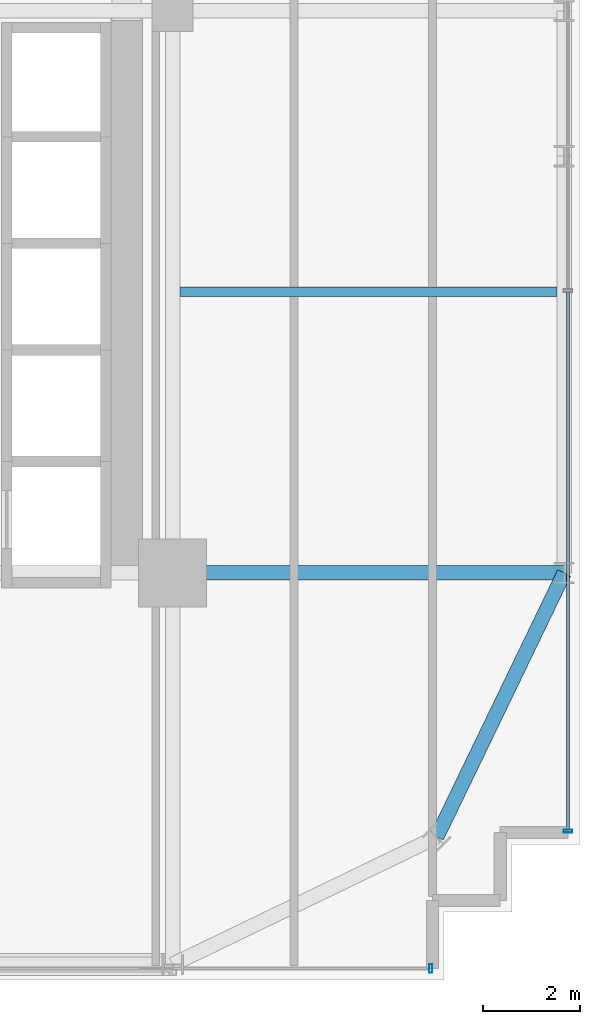
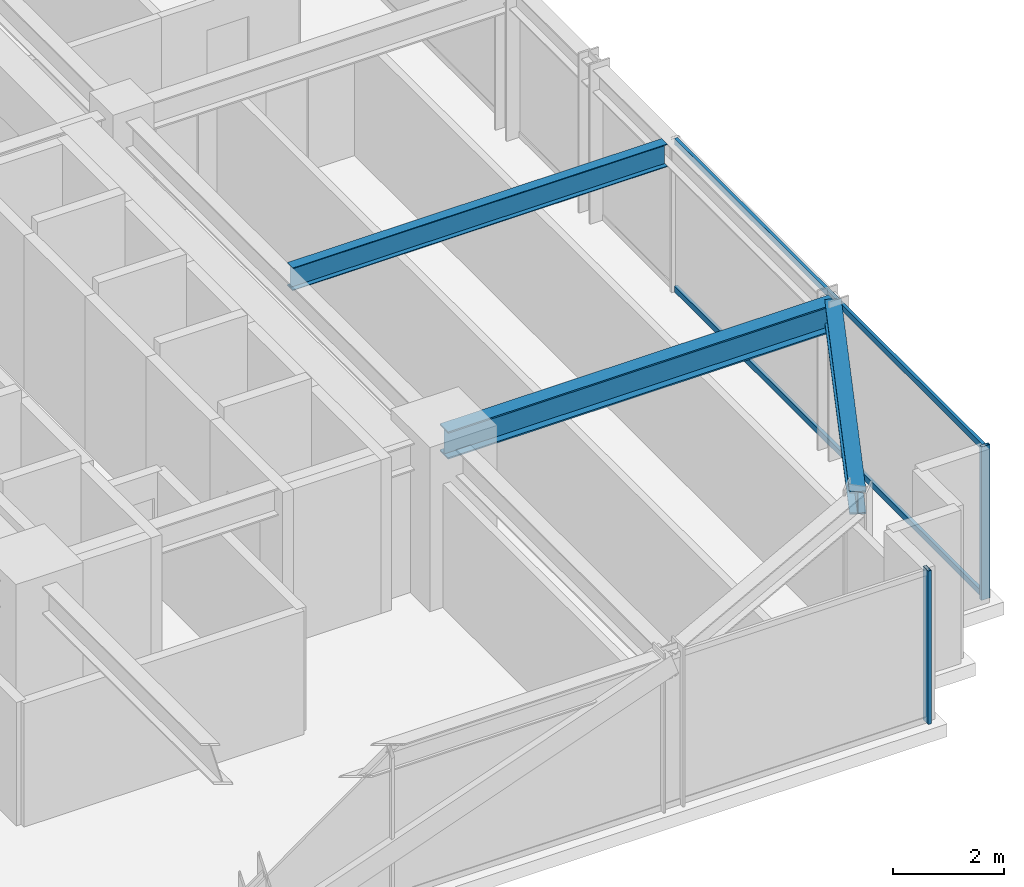
# One storey, part 14 of 36: 4 members, 3 beams, 2 elements without a shape of their own.
"""IFC4 building model written with IfcOpenShell, lengths in metres."""

from ifc_helpers import new_model, si_unit, direction, frame, origin, origin_2d, place, context, subcontext, project, spatial, hollow_rectangle, i_section, extrude, source, transform, mapped, material, material_profile, profile_set, type_object, element, aggregate, save


model = new_model("IFC4")

# Units and contexts
model_context = context("Model", 3, precision=1e-05, world=origin(), true_north=direction((0.0, 1.0)))
body_context = subcontext(model_context, "Body", "Model", "MODEL_VIEW")
ifc_project = project(units=[si_unit("LENGTHUNIT", "METRE"), si_unit("AREAUNIT", "SQUARE_METRE"), si_unit("VOLUMEUNIT", "CUBIC_METRE"), si_unit("PLANEANGLEUNIT", "RADIAN"), si_unit("MASSUNIT", "GRAM", prefix="KILO")], contexts=[model_context])

# Site, building, storey
site_placement = place(None, origin())
site = spatial("IfcSite", under=ifc_project, at=site_placement, CompositionType="ELEMENT")
building_placement = place(site_placement, origin())
building = spatial("IfcBuilding", under=site, at=building_placement, Name="Nahalor Promenade Grand Hotel", CompositionType="ELEMENT")
storey_placement = place(building_placement, frame((0.0, 0.0, 76.199951171875)))
storey = spatial("IfcBuildingStorey", under=building, at=storey_placement, Name="L18", CompositionType="ELEMENT", Elevation=76.199951171875)

# Beams
ifc_material_1 = material(Name="Steel S355JR", Category="steel")
ifc_material_profile_1 = material_profile(ifc_material_1, i_section(OverallWidth=0.3, OverallDepth=0.6, WebThickness=0.0155, FlangeThickness=0.03, at=origin_2d()), Name="HEB 600")
ifc_profile_set_1 = profile_set([ifc_material_profile_1], Name="Steel S355JR")
beam_type_1 = type_object("IfcBeamType", Name="Beam-Girder-HEB600", PredefinedType="BEAM", material=ifc_profile_set_1)
shared_shape_1 = source(origin(), body_context, "Body", "SweptSolid", [
    extrude(i_section(OverallWidth=0.3, OverallDepth=0.6, WebThickness=0.0155, FlangeThickness=0.03, at=origin_2d()), origin(), (0.0, 0.0, 1.0), 8.080078125),
])
beam_1_placement = place(storey_placement, frame((17.0, -17.0, 3.070068359375), z_axis=(1.0, 0.0, 0.0), x_axis=(0.0, 1.0, 0.0)))
element("IfcBeam", 1, at=beam_1_placement, inside=storey, type_object=beam_type_1, Name="BM-L18-GX-0-6", PredefinedType="BEAM", context=body_context, shape_type="MappedRepresentation", body=[
    mapped(shared_shape_1, transform((0.0, 0.0, 0.0), scale=1.0)),
])
ifc_material_profile_2 = material_profile(ifc_material_1, i_section(OverallWidth=0.3, OverallDepth=0.5, WebThickness=0.0145, FlangeThickness=0.028, at=origin_2d()), Name="HEB 500")
ifc_profile_set_2 = profile_set([ifc_material_profile_2], Name="Steel S355JR")
beam_type_2 = type_object("IfcBeamType", Name="Beam-Spandrel-HEB500", PredefinedType="SPANDREL", material=ifc_profile_set_2)
shared_shape_2 = source(origin(), body_context, "Body", "SweptSolid", [
    extrude(i_section(OverallWidth=0.3, OverallDepth=0.5, WebThickness=0.0145, FlangeThickness=0.028, at=origin_2d()), origin(), (0.0, 0.0, 1.0), 6.051513671875),
])
beam_2_placement = place(storey_placement, frame((22.449951171875, -22.449951171875, 3.1201171875), z_axis=(0.434630596492, 0.900608818852, 0.0), x_axis=(-0.900608818852, 0.434630596492, 0.0)))
element("IfcBeam", 2, at=beam_2_placement, inside=storey, type_object=beam_type_2, Name="BM-L18-SPC-SE-2", PredefinedType="SPANDREL", context=body_context, shape_type="MappedRepresentation", body=[
    mapped(shared_shape_2, transform((0.0, 0.0, 0.0), scale=1.0)),
])
ifc_material_profile_3 = material_profile(ifc_material_1, i_section(OverallWidth=0.2, OverallDepth=0.5, WebThickness=0.0102, FlangeThickness=0.016, at=origin_2d()), Name="IPE 500")
ifc_profile_set_3 = profile_set([ifc_material_profile_3], Name="Steel S355JR")
beam_type_3 = type_object("IfcBeamType", Name="Beam-Joist-IPE500", PredefinedType="JOIST", material=ifc_profile_set_3)
shared_shape_3 = source(origin(), body_context, "Body", "SweptSolid", [
    extrude(i_section(OverallWidth=0.2, OverallDepth=0.5, WebThickness=0.0102, FlangeThickness=0.016, at=origin_2d()), origin(), (0.0, 0.0, 1.0), 7.780029296875),
])
beam_3_placement = place(storey_placement, frame((17.14990234375, -11.199951171875, 3.1201171875), z_axis=(1.0, 0.0, 0.0), x_axis=(0.0, 1.0, 0.0)))
element("IfcBeam", 3, at=beam_3_placement, inside=storey, type_object=beam_type_3, Name="BM-L18-JSE-0-2", PredefinedType="JOIST", context=body_context, shape_type="MappedRepresentation", body=[
    mapped(shared_shape_3, transform((0.0, 0.0, 0.0), scale=1.0)),
])

# Curtain wall, member
ifc_material_2 = material(Name="Anodised Bronze Aluminium EN AW-6063 T6", Category="aluminium")
curtain_wall_type = type_object("IfcCurtainWallType", Name="CW2 Typical Hotel Flush Bronze Unitised Curtain Wall", PredefinedType="USERDEFINED", material=ifc_material_2)
curtain_wall_1_placement = place(storey_placement, origin())
curtain_wall_1 = element("IfcCurtainWall", 4, at=curtain_wall_1_placement, inside=storey, type_object=curtain_wall_type, Name="L18 Curtain Wall CW-L18-S-1", ObjectType="UNITISED_CURTAIN_WALL", PredefinedType="USERDEFINED")
ifc_material_profile_4 = material_profile(ifc_material_2, hollow_rectangle(XDim=0.065, YDim=0.18, WallThickness=0.004, at=origin_2d()), Name="CWM 65x180x4")
ifc_profile_set_4 = profile_set([ifc_material_profile_4], Name="Anodised Bronze Aluminium EN AW-6063 T6")
member_type_1 = type_object("IfcMemberType", Name="CWM2 Typical Bronze Mullion 65x180", PredefinedType="MULLION", material=ifc_profile_set_4)
shared_shape_4 = source(origin(), body_context, "Body", "SweptSolid", [
    extrude(hollow_rectangle(XDim=0.065, YDim=0.18, WallThickness=0.004, at=origin_2d()), origin(), (0.0, 0.0, 1.0), 3.3701171875),
])
member_1_placement = place(storey_placement, frame((22.327392578125, -25.159912109375, 0.0), z_axis=(0.0, 0.0, 1.0), x_axis=(1.0, 0.0, 0.0)))
member_1 = element("IfcMember", 5, at=member_1_placement, type_object=member_type_1, Name="CW-L18-S-1 Mullion 4", PredefinedType="MULLION", context=body_context, shape_type="MappedRepresentation", body=[
    mapped(shared_shape_4, transform((0.0, 0.0, 0.0), scale=1.0)),
])
aggregate(curtain_wall_1, [member_1])

# Curtain wall, members
curtain_wall_2_placement = place(storey_placement, origin())
curtain_wall_2 = element("IfcCurtainWall", 6, at=curtain_wall_2_placement, inside=storey, type_object=curtain_wall_type, Name="L18 Curtain Wall CW-L18-E-1", ObjectType="UNITISED_CURTAIN_WALL", PredefinedType="USERDEFINED")
member_2_placement = place(storey_placement, frame((25.159912109375, -22.327392578125, 0.0), z_axis=(0.0, 0.0, 1.0), x_axis=(0.0, 1.0, 0.0)))
member_2 = element("IfcMember", 7, at=member_2_placement, type_object=member_type_1, Name="CW-L18-E-1 Mullion 0", PredefinedType="MULLION", context=body_context, shape_type="MappedRepresentation", body=[
    mapped(shared_shape_4, transform((0.0, 0.0, 0.0), scale=1.0)),
])
ifc_material_profile_5 = material_profile(ifc_material_2, hollow_rectangle(XDim=0.065, YDim=0.13, WallThickness=0.004, at=origin_2d()), Name="CWT 65x130x4")
ifc_profile_set_5 = profile_set([ifc_material_profile_5], Name="Anodised Bronze Aluminium EN AW-6063 T6")
member_type_2 = type_object("IfcMemberType", Name="CWT2 Typical Bronze Transom 65x130", PredefinedType="USERDEFINED", material=ifc_profile_set_5)
shared_shape_5 = source(origin(), body_context, "Body", "SweptSolid", [
    extrude(hollow_rectangle(XDim=0.065, YDim=0.13, WallThickness=0.004, at=origin_2d()), origin(), (0.0, 0.0, 1.0), 11.08251953125),
])
member_3_placement = place(storey_placement, frame((25.159912109375, -22.294921875, 0.06494140625), z_axis=(0.0, 1.0, 0.0), x_axis=(-1.0, 0.0, 0.0)))
member_3 = element("IfcMember", 8, at=member_3_placement, type_object=member_type_2, Name="CW-L18-E-1 Transom 0-0", ObjectType="TRANSOM", PredefinedType="USERDEFINED", context=body_context, shape_type="MappedRepresentation", body=[
    mapped(shared_shape_5, transform((0.0, 0.0, 0.0), scale=1.0)),
])
member_4_placement = place(storey_placement, frame((25.159912109375, -22.294921875, 3.304931640625), z_axis=(0.0, 1.0, 0.0), x_axis=(-1.0, 0.0, 0.0)))
member_4 = element("IfcMember", 9, at=member_4_placement, type_object=member_type_2, Name="CW-L18-E-1 Transom 0-1", ObjectType="TRANSOM", PredefinedType="USERDEFINED", context=body_context, shape_type="MappedRepresentation", body=[
    mapped(shared_shape_5, transform((0.0, 0.0, 0.0), scale=1.0)),
])
aggregate(curtain_wall_2, [member_2, member_3, member_4])

save(model, "model.ifc")
